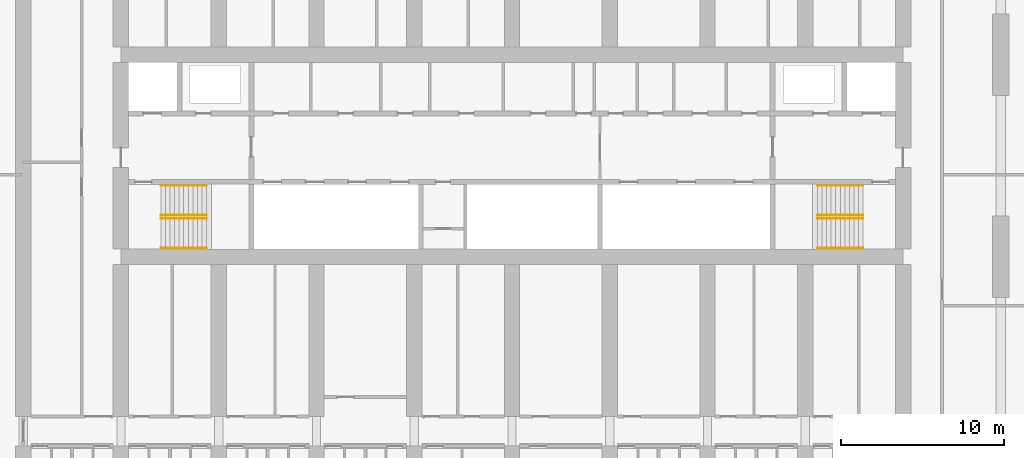
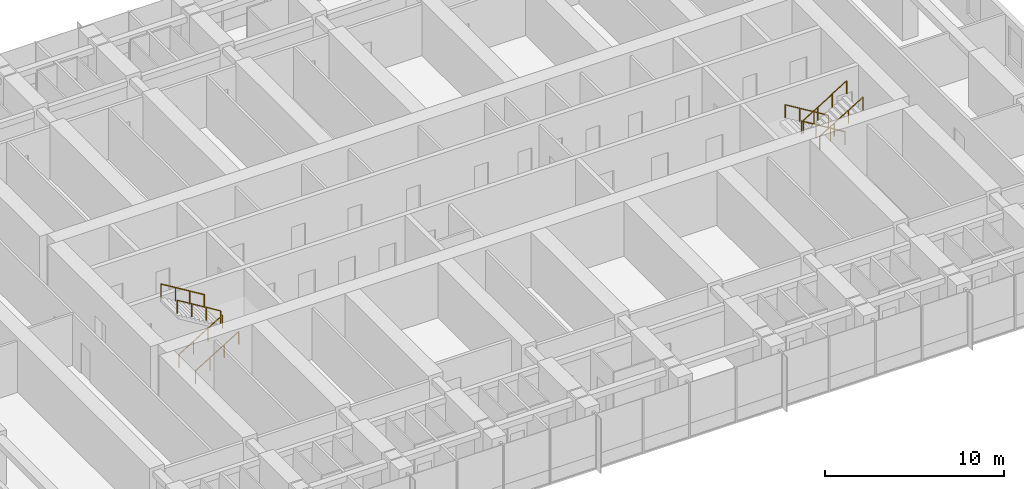
# One storey, part 22 of 22: 8 railings.
"""IFC4 building model written with IfcOpenShell, lengths in metres."""

from ifc_helpers import new_model, si_unit, direction, frame, origin, origin_2d, place, context, subcontext, project, spatial, circle, extrude, material, type_object, element, save


model = new_model("IFC4")

# Units and contexts
model_context = context("Model", 3, precision=1e-05, world=origin(), true_north=direction((0.0, 1.0)))
body_context = subcontext(model_context, "Body", "Model", "MODEL_VIEW")
ifc_project = project(units=[si_unit("LENGTHUNIT", "METRE"), si_unit("AREAUNIT", "SQUARE_METRE"), si_unit("VOLUMEUNIT", "CUBIC_METRE"), si_unit("PLANEANGLEUNIT", "RADIAN"), si_unit("MASSUNIT", "GRAM", prefix="KILO")], contexts=[model_context])

# Site, building, storey
site_placement = place(None, origin())
site = spatial("IfcSite", under=ifc_project, at=site_placement, CompositionType="ELEMENT")
building_placement = place(site_placement, origin())
building = spatial("IfcBuilding", under=site, at=building_placement, Name="Orbita Commons", CompositionType="ELEMENT")
storey_placement = place(building_placement, frame((0.0, 0.0, 121.89990234375)))
storey = spatial("IfcBuildingStorey", under=building, at=storey_placement, Name="L30", CompositionType="ELEMENT", Elevation=121.89990234375)

# Railings
ifc_material = material(Name="Steel tube, painted", Category="steel")
railing_type = type_object("IfcRailingType", Name="Stair handrail steel tube 900", PredefinedType="HANDRAIL", material=ifc_material)
for number, where, name in (
    (1, (20.449951171875, 28.1650390625, 0.170654296875), "Stair S1 handrail L30 flight 1"),
    (2, (20.449951171875, 26.3349609375, 0.170654296875), "Stair S1 handrail L30 flight 1"),
):
    element("IfcRailing", number, at=place(storey_placement, frame(where)), inside=storey, type_object=railing_type, Name=name, PredefinedType="HANDRAIL", context=body_context, shape_type="SweptSolid", body=[
        extrude(circle(Radius=0.02099609375, at=origin_2d()), frame((0.0, 0.0, 0.87890625), z_axis=(0.854202870247, 0.0, 0.519939858505), x_axis=(0.0, 1.0, 0.0)), (0.0, 0.0, 1.0), 3.278076171875),
        extrude(circle(Radius=0.02001953125, at=origin_2d()), origin(), (0.0, 0.0, 1.0), 0.85791015625),
        extrude(circle(Radius=0.02001953125, at=origin_2d()), frame((0.933349609375, 0.0, 0.568115234375)), (0.0, 0.0, 1.0), 0.85791015625),
        extrude(circle(Radius=0.02001953125, at=origin_2d()), frame((1.86669921875, 0.0, 1.13623046875)), (0.0, 0.0, 1.0), 0.85791015625),
        extrude(circle(Radius=0.02001953125, at=origin_2d()), frame((2.800048828125, 0.0, 1.704345703125)), (0.0, 0.0, 1.0), 0.85791015625),
    ])
for number, where, name in (
    (3, (23.25, 28.360107421875, 2.045654296875), "Stair S1 handrail L30 flight 2"),
    (4, (23.25, 30.18994140625, 2.045654296875), "Stair S1 handrail L30 flight 2"),
    (5, (63.550048828125, 28.360107421875, 0.170654296875), "Stair S2 handrail L30 flight 1"),
    (6, (63.550048828125, 30.18994140625, 0.170654296875), "Stair S2 handrail L30 flight 1"),
):
    element("IfcRailing", number, at=place(storey_placement, frame(where)), inside=storey, type_object=railing_type, Name=name, PredefinedType="HANDRAIL", context=body_context, shape_type="SweptSolid", body=[
        extrude(circle(Radius=0.02099609375, at=origin_2d()), frame((0.0, 0.0, 0.87890625), z_axis=(-0.854202870247, 0.0, 0.519939858505), x_axis=(0.0, -1.0, 0.0)), (0.0, 0.0, 1.0), 3.278076171875),
        extrude(circle(Radius=0.02001953125, at=origin_2d()), origin(), (0.0, 0.0, 1.0), 0.85791015625),
        extrude(circle(Radius=0.02001953125, at=origin_2d()), frame((-0.933349609375, 0.0, 0.568115234375)), (0.0, 0.0, 1.0), 0.85791015625),
        extrude(circle(Radius=0.02001953125, at=origin_2d()), frame((-1.86669921875, 0.0, 1.13623046875)), (0.0, 0.0, 1.0), 0.85791015625),
        extrude(circle(Radius=0.02001953125, at=origin_2d()), frame((-2.800048828125, 0.0, 1.704345703125)), (0.0, 0.0, 1.0), 0.85791015625),
    ])
for number, where, name in (
    (7, (60.75, 28.1650390625, 2.045654296875), "Stair S2 handrail L30 flight 2"),
    (8, (60.75, 26.3349609375, 2.045654296875), "Stair S2 handrail L30 flight 2"),
):
    element("IfcRailing", number, at=place(storey_placement, frame(where)), inside=storey, type_object=railing_type, Name=name, PredefinedType="HANDRAIL", context=body_context, shape_type="SweptSolid", body=[
        extrude(circle(Radius=0.02099609375, at=origin_2d()), frame((0.0, 0.0, 0.87890625), z_axis=(0.854202870247, 0.0, 0.519939858505), x_axis=(0.0, 1.0, 0.0)), (0.0, 0.0, 1.0), 3.278076171875),
        extrude(circle(Radius=0.02001953125, at=origin_2d()), origin(), (0.0, 0.0, 1.0), 0.85791015625),
        extrude(circle(Radius=0.02001953125, at=origin_2d()), frame((0.933349609375, 0.0, 0.568115234375)), (0.0, 0.0, 1.0), 0.85791015625),
        extrude(circle(Radius=0.02001953125, at=origin_2d()), frame((1.86669921875, 0.0, 1.13623046875)), (0.0, 0.0, 1.0), 0.85791015625),
        extrude(circle(Radius=0.02001953125, at=origin_2d()), frame((2.800048828125, 0.0, 1.704345703125)), (0.0, 0.0, 1.0), 0.85791015625),
    ])

save(model, "model.ifc")
